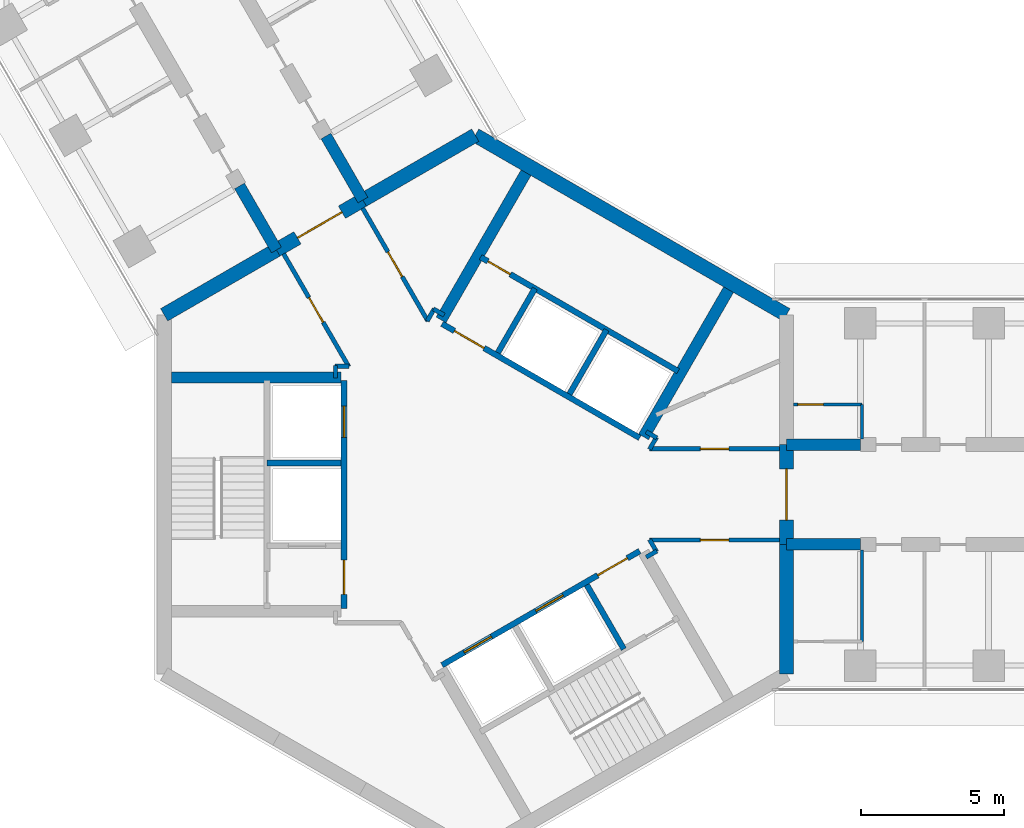
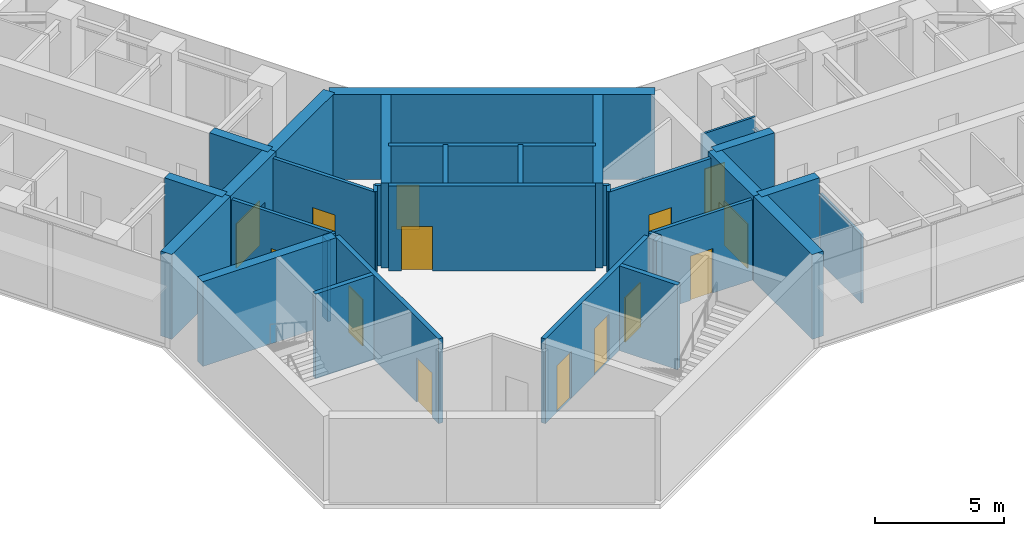
# One storey, part 12 of 18: 36 walls, 14 doors, 14 openings.
"""IFC4 building model written with IfcOpenShell, lengths in metres."""

from ifc_helpers import new_model, si_unit, direction, frame, frame_2d, origin, place, context, subcontext, project, spatial, rectangle, extrude, material, layer, layer_set, type_object, element, fill, save


model = new_model("IFC4")

# Units and contexts
model_context = context("Model", 3, precision=1e-05, world=origin(), true_north=direction((0.0, 1.0)))
body_context = subcontext(model_context, "Body", "Model", "MODEL_VIEW")
ifc_project = project(units=[si_unit("LENGTHUNIT", "METRE"), si_unit("AREAUNIT", "SQUARE_METRE"), si_unit("VOLUMEUNIT", "CUBIC_METRE"), si_unit("PLANEANGLEUNIT", "RADIAN"), si_unit("MASSUNIT", "GRAM", prefix="KILO")], contexts=[model_context])

# Site, building, storey
site_placement = place(None, origin())
site = spatial("IfcSite", under=ifc_project, at=site_placement, CompositionType="ELEMENT")
building_placement = place(site_placement, origin())
building = spatial("IfcBuilding", under=site, at=building_placement, Name="Upepo Twin Towers", CompositionType="ELEMENT")
storey_placement = place(building_placement, frame((0.0, 0.0, 222.5)))
storey = spatial("IfcBuildingStorey", under=building, at=storey_placement, Name="L54", CompositionType="ELEMENT", Elevation=222.5)

# Walls
ifc_material_1 = material(Name="Concrete C60/75", Category="concrete")
ifc_layer_1 = layer(ifc_material_1, 0.39990234375)
ifc_layer_set_1 = layer_set([ifc_layer_1], Name="Concrete C60/75")
wall_type_1 = type_object("IfcWallType", Name="Buttress wall 400 RC", PredefinedType="SHEAR", material=ifc_layer_set_1)
for number, where, z_axis, x_axis, name in (
    (1, (10.908447265625, 1.75, 0.0), (0.0, 0.0, 1.0), (1.0, 0.0, 0.0), "T1 wing A buttress wall L"),
    (2, (10.908447265625, -1.75, 0.0), (0.0, 0.0, 1.0), (1.0, 0.0, 0.0), "T1 wing A buttress wall R"),
):
    element("IfcWall", number, at=place(storey_placement, frame(where, z_axis=z_axis, x_axis=x_axis)), inside=storey, type_object=wall_type_1, Name=name, PredefinedType="SHEAR", context=body_context, shape_type="SweptSolid", body=[
        extrude(rectangle(XDim=2.591552734375, YDim=0.39990234375, at=frame_2d((1.2958984375, 0.0))), origin(), (0.0, 0.0, 1.0), 4.0),
    ])
for number, where, z_axis, x_axis, name in (
    (3, (-6.9697265625, 8.57177734375, 0.0), (0.0, 0.0, 1.0), (-0.499988811324, 0.866031863473, 0.0), "T1 wing B buttress wall L"),
    (4, (-3.938720703125, 10.32177734375, 0.0), (0.0, 0.0, 1.0), (-0.499918158782, 0.866072649678, 0.0), "T1 wing B buttress wall R"),
):
    element("IfcWall", number, at=place(storey_placement, frame(where, z_axis=z_axis, x_axis=x_axis)), inside=storey, type_object=wall_type_1, Name=name, PredefinedType="SHEAR", context=body_context, shape_type="SweptSolid", body=[
        extrude(rectangle(XDim=2.591796875, YDim=0.39990234375, at=frame_2d((1.2958984375, 0.0))), origin(), (0.0, 0.0, 1.0), 4.0),
    ])
ifc_material_2 = material(Name="Concrete C60/75", Category="concrete")
ifc_layer_2 = layer(ifc_material_2, 0.5)
ifc_layer_set_2 = layer_set([ifc_layer_2], Name="Concrete C60/75")
wall_type_2 = type_object("IfcWallType", Name="Core wall 500 RC", PredefinedType="SHEAR", material=ifc_layer_set_2)
wall_1_placement = place(storey_placement, frame((10.908447265625, -6.2978515625, 0.0), z_axis=(0.0, 0.0, 1.0), x_axis=(0.0, 1.0, 0.0)))
element("IfcWall", 5, at=wall_1_placement, inside=storey, type_object=wall_type_2, Name="T1 core wall 000 R", PredefinedType="SHEAR", context=body_context, shape_type="SweptSolid", body=[
    extrude(rectangle(XDim=4.5478515625, YDim=0.5, at=frame_2d((2.27392578125, 0.0))), origin(), (0.0, 0.0, 1.0), 4.0),
])

# Wall, opening, door
wall_2_placement = place(storey_placement, frame((10.908447265625, -1.75, 0.0), z_axis=(0.0, 0.0, 1.0), x_axis=(0.0, 1.0, 0.0)))
wall_2 = element("IfcWall", 6, at=wall_2_placement, inside=storey, type_object=wall_type_2, Name="T1 core wall 000", PredefinedType="SHEAR", context=body_context, shape_type="SweptSolid", body=[
    extrude(rectangle(XDim=3.5, YDim=0.5, at=frame_2d((1.75, 0.0))), origin(), (0.0, 0.0, 1.0), 4.0),
])
opening_1_placement = place(wall_2_placement, frame((0.85009765625, 0.0, 0.0)))
opening_1 = element("IfcOpeningElement", 7, at=opening_1_placement, cuts=wall_2, Name="Opening D2", PredefinedType="OPENING", context=body_context, shape_type="SweptSolid", body=[
    extrude(rectangle(XDim=1.800048828125, YDim=2.10009765625, at=frame_2d((0.89990234375, 1.050048828125))), frame((0.0, 0.260009765625, 0.0), z_axis=(0.0, -1.0, 0.0), x_axis=(1.0, 0.0, 0.0)), (0.0, 0.0, 1.0), 0.52001953125),
])
ifc_material_3 = material(Name="Timber doorset", Category="wood")
door_type_1 = type_object("IfcDoorType", Name="Corridor double door 1800 FD60", OperationType="DOUBLE_DOOR_DOUBLE_SWING", PredefinedType="DOOR", material=ifc_material_3)
door_1_placement = place(opening_1_placement, origin())
door_1 = element("IfcDoor", 8, at=door_1_placement, inside=storey, type_object=door_type_1, Name="T1 L54 wing A corridor door", OperationType="DOUBLE_DOOR_DOUBLE_SWING", OverallHeight=2.10009765625, OverallWidth=1.800048828125, PredefinedType="DOOR", context=body_context, shape_type="SweptSolid", body=[
    extrude(rectangle(XDim=1.800048828125, YDim=2.10009765625, at=frame_2d((0.89990234375, 1.050048828125))), frame((0.0, 0.02490234375, 0.0), z_axis=(0.0, -1.0, 0.0), x_axis=(1.0, 0.0, 0.0)), (0.0, 0.0, 1.0), 0.050048828125),
])
fill(opening_1, door_1)

# Walls
wall_3_placement = place(storey_placement, frame((10.908447265625, 6.2978515625, 0.0), z_axis=(0.0, 0.0, 1.0), x_axis=(-0.866021940709, 0.500005998175, 0.0)))
element("IfcWall", 9, at=wall_3_placement, inside=storey, type_object=wall_type_2, Name="T1 core wall 060", PredefinedType="SHEAR", context=body_context, shape_type="SweptSolid", body=[
    extrude(rectangle(XDim=12.595947265625, YDim=0.5, at=frame_2d((6.2978515625, 0.0))), origin(), (0.0, 0.0, 1.0), 4.0),
])
wall_4_placement = place(storey_placement, frame((0.0, 12.595947265625, 0.0), z_axis=(0.0, 0.0, 1.0), x_axis=(-0.866011268655, -0.500024481964, 0.0)))
element("IfcWall", 10, at=wall_4_placement, inside=storey, type_object=wall_type_2, Name="T1 core wall 120 R", PredefinedType="SHEAR", context=body_context, shape_type="SweptSolid", body=[
    extrude(rectangle(XDim=4.548095703125, YDim=0.5, at=frame_2d((2.27392578125, 0.0))), origin(), (0.0, 0.0, 1.0), 4.0),
])

# Wall, opening, door
wall_5_placement = place(storey_placement, frame((-3.938720703125, 10.32177734375, 0.0), z_axis=(0.0, 0.0, 1.0), x_axis=(-0.866019471182, -0.500010275428, 0.0)))
wall_5 = element("IfcWall", 11, at=wall_5_placement, inside=storey, type_object=wall_type_2, Name="T1 core wall 120", PredefinedType="SHEAR", context=body_context, shape_type="SweptSolid", body=[
    extrude(rectangle(XDim=3.5, YDim=0.5, at=frame_2d((1.75, 0.0))), origin(), (0.0, 0.0, 1.0), 4.0),
])
opening_2_placement = place(wall_5_placement, frame((0.85009765625, 0.0, 0.0)))
opening_2 = element("IfcOpeningElement", 12, at=opening_2_placement, cuts=wall_5, Name="Opening D2", PredefinedType="OPENING", context=body_context, shape_type="SweptSolid", body=[
    extrude(rectangle(XDim=1.800048828125, YDim=2.10009765625, at=frame_2d((0.89990234375, 1.050048828125))), frame((0.0, 0.260009765625, 0.0), z_axis=(0.0, -1.0, 0.0), x_axis=(1.0, 0.0, 0.0)), (0.0, 0.0, 1.0), 0.52001953125),
])
door_2_placement = place(opening_2_placement, origin())
door_2 = element("IfcDoor", 13, at=door_2_placement, inside=storey, type_object=door_type_1, Name="T1 L54 wing B corridor door", OperationType="DOUBLE_DOOR_DOUBLE_SWING", OverallHeight=2.10009765625, OverallWidth=1.800048828125, PredefinedType="DOOR", context=body_context, shape_type="SweptSolid", body=[
    extrude(rectangle(XDim=1.800048828125, YDim=2.10009765625, at=frame_2d((0.89990234375, 1.050048828125))), frame((0.0, 0.02490234375, 0.0), z_axis=(0.0, -1.0, 0.0), x_axis=(1.0, 0.0, 0.0)), (0.0, 0.0, 1.0), 0.050048828125),
])
fill(opening_2, door_2)

# Wall
wall_6_placement = place(storey_placement, frame((-6.9697265625, 8.57177734375, 0.0), z_axis=(0.0, 0.0, 1.0), x_axis=(-0.866034513004, -0.499984222037, 0.0)))
element("IfcWall", 14, at=wall_6_placement, inside=storey, type_object=wall_type_2, Name="T1 core wall 120 L", PredefinedType="SHEAR", context=body_context, shape_type="SweptSolid", body=[
    extrude(rectangle(XDim=4.548095703125, YDim=0.5, at=frame_2d((2.27392578125, 0.0))), origin(), (0.0, 0.0, 1.0), 4.0),
])

# Wall, opening, door
ifc_material_4 = material(Name="Gypsum board on steel studs", Category="steel")
ifc_layer_3 = layer(ifc_material_4, 0.10009765625)
ifc_layer_set_3 = layer_set([ifc_layer_3], Name="Office partition 100 stud")
wall_type_3 = type_object("IfcWallType", Name="Office partition 100 stud", PredefinedType="PARTITIONING", material=ifc_layer_set_3)
wall_7_placement = place(storey_placement, frame((11.157958984375, 3.14990234375, 0.0), z_axis=(0.0, 0.0, 1.0), x_axis=(1.0, 0.0, 0.0)))
wall_7 = element("IfcWall", 15, at=wall_7_placement, inside=storey, type_object=wall_type_3, Name="T1 WC bay partition AL at 11.16", PredefinedType="PARTITIONING", context=body_context, shape_type="SweptSolid", body=[
    extrude(rectangle(XDim=2.400146484375, YDim=0.10009765625, at=frame_2d((1.2001953125, 0.0))), origin(), (0.0, 0.0, 1.0), 3.800048828125),
])
opening_3_placement = place(wall_7_placement, frame((0.14990234375, 0.0, 0.0)))
opening_3 = element("IfcOpeningElement", 16, at=opening_3_placement, cuts=wall_7, Name="Opening D14", PredefinedType="OPENING", context=body_context, shape_type="SweptSolid", body=[
    extrude(rectangle(XDim=0.89990234375, YDim=2.10009765625, at=frame_2d((0.449951171875, 1.050048828125))), frame((0.0, 0.06005859375, 0.0), z_axis=(0.0, -1.0, 0.0), x_axis=(1.0, 0.0, 0.0)), (0.0, 0.0, 1.0), 0.1201171875),
])
ifc_material_5 = material(Name="Timber doorset", Category="wood")
door_type_2 = type_object("IfcDoorType", Name="Office door 900 FD30", OperationType="SINGLE_SWING_LEFT", PredefinedType="DOOR", material=ifc_material_5)
door_3_placement = place(opening_3_placement, origin())
door_3 = element("IfcDoor", 17, at=door_3_placement, inside=storey, type_object=door_type_2, Name="T1 L54 WC bay inner room door", OperationType="SINGLE_SWING_LEFT", OverallHeight=2.10009765625, OverallWidth=0.89990234375, PredefinedType="DOOR", context=body_context, shape_type="SweptSolid", body=[
    extrude(rectangle(XDim=0.89990234375, YDim=2.10009765625, at=frame_2d((0.449951171875, 1.050048828125))), frame((0.0, 0.02490234375, 0.0), z_axis=(0.0, -1.0, 0.0), x_axis=(1.0, 0.0, 0.0)), (0.0, 0.0, 1.0), 0.050048828125),
])
fill(opening_3, door_3)

# Walls
wall_8_placement = place(storey_placement, frame((13.55810546875, 1.949951171875, 0.0), z_axis=(0.0, 0.0, 1.0), x_axis=(0.0, 1.0, 0.0)))
element("IfcWall", 18, at=wall_8_placement, inside=storey, type_object=wall_type_3, Name="T1 WC bay partition AL end at 13.56", PredefinedType="PARTITIONING", context=body_context, shape_type="SweptSolid", body=[
    extrude(rectangle(XDim=1.199951171875, YDim=0.10009765625, at=frame_2d((0.60009765625, 0.0))), origin(), (0.0, 0.0, 1.0), 3.266845703125),
])
wall_9_placement = place(storey_placement, frame((13.55810546875, -1.949951171875, 0.0), z_axis=(0.0, 0.0, 1.0), x_axis=(0.0, -1.0, 0.0)))
element("IfcWall", 19, at=wall_9_placement, inside=storey, type_object=wall_type_3, Name="T1 WC bay partition AR end at 13.56", PredefinedType="PARTITIONING", context=body_context, shape_type="SweptSolid", body=[
    extrude(rectangle(XDim=3.199951171875, YDim=0.10009765625, at=frame_2d((1.60009765625, 0.0))), origin(), (0.0, 0.0, 1.0), 3.266845703125),
])

# Wall, opening, door
ifc_material_6 = material(Name="Concrete C40/50", Category="concrete")
ifc_layer_4 = layer(ifc_material_6, 0.199951171875)
ifc_layer_set_4 = layer_set([ifc_layer_4], Name="Concrete C40/50")
wall_type_4 = type_object("IfcWallType", Name="Shaft wall 200 RC", PredefinedType="SHEAR", material=ifc_layer_set_4)
wall_10_placement = place(storey_placement, frame((5.76416015625, 1.983642578125, 0.0), z_axis=(0.0, 0.0, 1.0), x_axis=(-0.866026010844, 0.49999894854, 0.0)))
wall_10 = element("IfcWall", 20, at=wall_10_placement, inside=storey, type_object=wall_type_4, Name="T1 core W60 front wall", PredefinedType="SHEAR", context=body_context, shape_type="SweptSolid", body=[
    extrude(rectangle(XDim=8.0, YDim=0.199951171875, at=frame_2d((4.0, 0.0))), origin(), (0.0, 0.0, 1.0), 4.0),
])
opening_4_placement = place(wall_10_placement, frame((6.300048828125, 0.0, 0.0)))
opening_4 = element("IfcOpeningElement", 21, at=opening_4_placement, cuts=wall_10, Name="Opening D4", PredefinedType="OPENING", context=body_context, shape_type="SweptSolid", body=[
    extrude(rectangle(XDim=1.199951171875, YDim=2.10009765625, at=frame_2d((0.60009765625, 1.050048828125))), frame((0.0, 0.10986328125, 0.0), z_axis=(0.0, -1.0, 0.0), x_axis=(1.0, 0.0, 0.0)), (0.0, 0.0, 1.0), 0.219970703125),
])
ifc_material_7 = material(Name="Timber doorset", Category="wood")
door_type_3 = type_object("IfcDoorType", Name="Lobby door 1200 FD60", OperationType="SINGLE_SWING_LEFT", PredefinedType="DOOR", material=ifc_material_7)
door_4_placement = place(opening_4_placement, origin())
door_4 = element("IfcDoor", 22, at=door_4_placement, inside=storey, type_object=door_type_3, Name="T1 L54 W60 lobby door", OperationType="SINGLE_SWING_RIGHT", OverallHeight=2.10009765625, OverallWidth=1.199951171875, PredefinedType="DOOR", context=body_context, shape_type="SweptSolid", body=[
    extrude(rectangle(XDim=1.199951171875, YDim=2.10009765625, at=frame_2d((0.60009765625, 1.050048828125))), frame((0.0, 0.02490234375, 0.0), z_axis=(0.0, -1.0, 0.0), x_axis=(1.0, 0.0, 0.0)), (0.0, 0.0, 1.0), 0.050048828125),
])
fill(opening_4, door_4)

# Walls
for number, where, z_axis, x_axis, name in (
    (23, (3.302734375, 3.520263671875, 0.0), (0.0, 0.0, 1.0), (0.499936506574, 0.866062058628, 0.0), "T1 core W60 shaft divider"),
    (24, (0.791259765625, 4.97021484375, 0.0), (0.0, 0.0, 1.0), (0.499936506574, 0.866062058628, 0.0), "T1 core W60 lobby wall"),
):
    element("IfcWall", number, at=place(storey_placement, frame(where, z_axis=z_axis, x_axis=x_axis)), inside=storey, type_object=wall_type_4, Name=name, PredefinedType="SHEAR", context=body_context, shape_type="SweptSolid", body=[
        extrude(rectangle(XDim=2.599853515625, YDim=0.199951171875, at=frame_2d((1.2998046875, 0.0))), origin(), (0.0, 0.0, 1.0), 4.0),
    ])

# Wall, opening, door
wall_11_placement = place(storey_placement, frame((7.114013671875, 4.322021484375, 0.0), z_axis=(0.0, 0.0, 1.0), x_axis=(-0.866026010844, 0.49999894854, 0.0)))
wall_11 = element("IfcWall", 25, at=wall_11_placement, inside=storey, type_object=wall_type_4, Name="T1 core W60 stair wall", PredefinedType="SHEAR", context=body_context, shape_type="SweptSolid", body=[
    extrude(rectangle(XDim=8.0, YDim=0.199951171875, at=frame_2d((4.0, 0.0))), origin(), (0.0, 0.0, 1.0), 4.0),
])
opening_5_placement = place(wall_11_placement, frame((6.800048828125, 0.0, 0.0)))
opening_5 = element("IfcOpeningElement", 26, at=opening_5_placement, cuts=wall_11, Name="Opening D9", PredefinedType="OPENING", context=body_context, shape_type="SweptSolid", body=[
    extrude(rectangle(XDim=0.89990234375, YDim=2.10009765625, at=frame_2d((0.449951171875, 1.050048828125))), frame((0.0, 0.10986328125, 0.0), z_axis=(0.0, -1.0, 0.0), x_axis=(1.0, 0.0, 0.0)), (0.0, 0.0, 1.0), 0.219970703125),
])
ifc_material_8 = material(Name="Timber doorset", Category="wood")
door_type_4 = type_object("IfcDoorType", Name="Riser door 900 FD60", OperationType="SINGLE_SWING_LEFT", PredefinedType="DOOR", material=ifc_material_8)
door_5_placement = place(opening_5_placement, origin())
door_5 = element("IfcDoor", 27, at=door_5_placement, inside=storey, type_object=door_type_4, Name="T1 L54 riser door", OperationType="SINGLE_SWING_RIGHT", OverallHeight=2.10009765625, OverallWidth=0.89990234375, PredefinedType="DOOR", context=body_context, shape_type="SweptSolid", body=[
    extrude(rectangle(XDim=0.89990234375, YDim=2.10009765625, at=frame_2d((0.449951171875, 1.050048828125))), frame((0.0, 0.02490234375, 0.0), z_axis=(0.0, -1.0, 0.0), x_axis=(1.0, 0.0, 0.0)), (0.0, 0.0, 1.0), 0.050048828125),
])
fill(opening_5, door_5)

# Wall, openings, doors
wall_12_placement = place(storey_placement, frame((-4.60009765625, 4.0, 0.0), z_axis=(0.0, 0.0, 1.0), x_axis=(0.0, -1.0, 0.0)))
wall_12 = element("IfcWall", 28, at=wall_12_placement, inside=storey, type_object=wall_type_4, Name="T1 core W180 front wall", PredefinedType="SHEAR", context=body_context, shape_type="SweptSolid", body=[
    extrude(rectangle(XDim=8.0, YDim=0.199951171875, at=frame_2d((4.0, 0.0))), origin(), (0.0, 0.0, 1.0), 4.0),
])
opening_6_placement = place(wall_12_placement, frame((6.300048828125, 0.0, 0.0)))
opening_6 = element("IfcOpeningElement", 29, at=opening_6_placement, cuts=wall_12, Name="Opening D4", PredefinedType="OPENING", context=body_context, shape_type="SweptSolid", body=[
    extrude(rectangle(XDim=1.199951171875, YDim=2.10009765625, at=frame_2d((0.60009765625, 1.050048828125))), frame((0.0, 0.10986328125, 0.0), z_axis=(0.0, -1.0, 0.0), x_axis=(1.0, 0.0, 0.0)), (0.0, 0.0, 1.0), 0.219970703125),
])
opening_7_placement = place(wall_12_placement, frame((0.89990234375, 0.0, 0.0)))
opening_7 = element("IfcOpeningElement", 30, at=opening_7_placement, cuts=wall_12, Name="Opening LD1", PredefinedType="OPENING", context=body_context, shape_type="SweptSolid", body=[
    extrude(rectangle(XDim=1.10009765625, YDim=2.199951171875, at=frame_2d((0.550048828125, 1.10009765625))), frame((0.0, 0.10986328125, 0.0), z_axis=(0.0, -1.0, 0.0), x_axis=(1.0, 0.0, 0.0)), (0.0, 0.0, 1.0), 0.219970703125),
])
ifc_material_9 = material(Name="Steel doorset", Category="steel")
door_type_5 = type_object("IfcDoorType", Name="Lift landing door 1100", OperationType="DOUBLE_DOOR_SLIDING", PredefinedType="DOOR", material=ifc_material_9)
door_6_placement = place(opening_7_placement, origin())
door_6 = element("IfcDoor", 31, at=door_6_placement, inside=storey, type_object=door_type_5, Name="T1 L54 lift SV1 landing door", OperationType="DOUBLE_DOOR_SLIDING", OverallHeight=2.199951171875, OverallWidth=1.10009765625, PredefinedType="DOOR", context=body_context, shape_type="SweptSolid", body=[
    extrude(rectangle(XDim=1.10009765625, YDim=2.199951171875, at=frame_2d((0.550048828125, 1.10009765625))), frame((0.0, 0.02490234375, 0.0), z_axis=(0.0, -1.0, 0.0), x_axis=(1.0, 0.0, 0.0)), (0.0, 0.0, 1.0), 0.050048828125),
])
fill(opening_7, door_6)
door_7_placement = place(opening_6_placement, origin())
door_7 = element("IfcDoor", 32, at=door_7_placement, inside=storey, type_object=door_type_3, Name="T1 L54 W180 lobby door", OperationType="SINGLE_SWING_RIGHT", OverallHeight=2.10009765625, OverallWidth=1.199951171875, PredefinedType="DOOR", context=body_context, shape_type="SweptSolid", body=[
    extrude(rectangle(XDim=1.199951171875, YDim=2.10009765625, at=frame_2d((0.60009765625, 1.050048828125))), frame((0.0, 0.02490234375, 0.0), z_axis=(0.0, -1.0, 0.0), x_axis=(1.0, 0.0, 0.0)), (0.0, 0.0, 1.0), 0.050048828125),
])
fill(opening_6, door_7)

# Wall
wall_13_placement = place(storey_placement, frame((-4.699951171875, 1.10009765625, 0.0), z_axis=(0.0, 0.0, 1.0), x_axis=(-1.0, 0.0, 0.0)))
element("IfcWall", 33, at=wall_13_placement, inside=storey, type_object=wall_type_4, Name="T1 core W180 shaft divider", PredefinedType="SHEAR", context=body_context, shape_type="SweptSolid", body=[
    extrude(rectangle(XDim=2.60009765625, YDim=0.199951171875, at=frame_2d((1.300048828125, 0.0))), origin(), (0.0, 0.0, 1.0), 4.0),
])

# Wall, openings, doors
wall_14_placement = place(storey_placement, frame((-1.1640625, -5.983642578125, 0.0), z_axis=(0.0, 0.0, 1.0), x_axis=(0.866026010844, 0.49999894854, 0.0)))
wall_14 = element("IfcWall", 34, at=wall_14_placement, inside=storey, type_object=wall_type_4, Name="T1 core W300 front wall", PredefinedType="SHEAR", context=body_context, shape_type="SweptSolid", body=[
    extrude(rectangle(XDim=8.0, YDim=0.199951171875, at=frame_2d((4.0, 0.0))), origin(), (0.0, 0.0, 1.0), 4.0),
])
opening_8_placement = place(wall_14_placement, frame((6.300048828125, 0.0, 0.0)))
opening_8 = element("IfcOpeningElement", 35, at=opening_8_placement, cuts=wall_14, Name="Opening D4", PredefinedType="OPENING", context=body_context, shape_type="SweptSolid", body=[
    extrude(rectangle(XDim=1.199951171875, YDim=2.10009765625, at=frame_2d((0.60009765625, 1.050048828125))), frame((0.0, 0.10986328125, 0.0), z_axis=(0.0, -1.0, 0.0), x_axis=(1.0, 0.0, 0.0)), (0.0, 0.0, 1.0), 0.219970703125),
])
opening_9_placement = place(wall_14_placement, frame((0.89990234375, 0.0, 0.0)))
opening_9 = element("IfcOpeningElement", 36, at=opening_9_placement, cuts=wall_14, Name="Opening LD1", PredefinedType="OPENING", context=body_context, shape_type="SweptSolid", body=[
    extrude(rectangle(XDim=1.10009765625, YDim=2.199951171875, at=frame_2d((0.550048828125, 1.10009765625))), frame((0.0, 0.10986328125, 0.0), z_axis=(0.0, -1.0, 0.0), x_axis=(1.0, 0.0, 0.0)), (0.0, 0.0, 1.0), 0.219970703125),
])
opening_10_placement = place(wall_14_placement, frame((3.800048828125, 0.0, 0.0)))
opening_10 = element("IfcOpeningElement", 37, at=opening_10_placement, cuts=wall_14, Name="Opening LD1", PredefinedType="OPENING", context=body_context, shape_type="SweptSolid", body=[
    extrude(rectangle(XDim=1.10009765625, YDim=2.199951171875, at=frame_2d((0.550048828125, 1.10009765625))), frame((0.0, 0.10986328125, 0.0), z_axis=(0.0, -1.0, 0.0), x_axis=(1.0, 0.0, 0.0)), (0.0, 0.0, 1.0), 0.219970703125),
])
door_8_placement = place(opening_9_placement, origin())
door_8 = element("IfcDoor", 38, at=door_8_placement, inside=storey, type_object=door_type_5, Name="T1 L54 lift UL1 landing door", OperationType="DOUBLE_DOOR_SLIDING", OverallHeight=2.199951171875, OverallWidth=1.10009765625, PredefinedType="DOOR", context=body_context, shape_type="SweptSolid", body=[
    extrude(rectangle(XDim=1.10009765625, YDim=2.199951171875, at=frame_2d((0.550048828125, 1.10009765625))), frame((0.0, 0.02490234375, 0.0), z_axis=(0.0, -1.0, 0.0), x_axis=(1.0, 0.0, 0.0)), (0.0, 0.0, 1.0), 0.050048828125),
])
fill(opening_9, door_8)
door_9_placement = place(opening_10_placement, origin())
door_9 = element("IfcDoor", 39, at=door_9_placement, inside=storey, type_object=door_type_5, Name="T1 L54 lift UL2 landing door", OperationType="DOUBLE_DOOR_SLIDING", OverallHeight=2.199951171875, OverallWidth=1.10009765625, PredefinedType="DOOR", context=body_context, shape_type="SweptSolid", body=[
    extrude(rectangle(XDim=1.10009765625, YDim=2.199951171875, at=frame_2d((0.550048828125, 1.10009765625))), frame((0.0, 0.02490234375, 0.0), z_axis=(0.0, -1.0, 0.0), x_axis=(1.0, 0.0, 0.0)), (0.0, 0.0, 1.0), 0.050048828125),
])
fill(opening_10, door_9)
door_10_placement = place(opening_8_placement, origin())
door_10 = element("IfcDoor", 40, at=door_10_placement, inside=storey, type_object=door_type_3, Name="T1 L54 W300 lobby door", OperationType="SINGLE_SWING_RIGHT", OverallHeight=2.10009765625, OverallWidth=1.199951171875, PredefinedType="DOOR", context=body_context, shape_type="SweptSolid", body=[
    extrude(rectangle(XDim=1.199951171875, YDim=2.10009765625, at=frame_2d((0.60009765625, 1.050048828125))), frame((0.0, 0.02490234375, 0.0), z_axis=(0.0, -1.0, 0.0), x_axis=(1.0, 0.0, 0.0)), (0.0, 0.0, 1.0), 0.050048828125),
])
fill(opening_8, door_10)

# Walls
wall_15_placement = place(storey_placement, frame((3.908935546875, -3.17041015625, 0.0), z_axis=(0.0, 0.0, 1.0), x_axis=(0.49997716683, -0.86603858612, 0.0)))
element("IfcWall", 41, at=wall_15_placement, inside=storey, type_object=wall_type_4, Name="T1 core W300 lobby wall", PredefinedType="SHEAR", context=body_context, shape_type="SweptSolid", body=[
    extrude(rectangle(XDim=2.599609375, YDim=0.199951171875, at=frame_2d((1.2998046875, 0.0))), origin(), (0.0, 0.0, 1.0), 4.0),
])
ifc_material_10 = material(Name="Concrete C40/50", Category="concrete")
ifc_layer_5 = layer(ifc_material_10, 0.39990234375)
ifc_layer_set_5 = layer_set([ifc_layer_5], Name="Concrete C40/50")
wall_type_5 = type_object("IfcWallType", Name="Shaft wall 400 RC", PredefinedType="SHEAR", material=ifc_layer_set_5)
wall_16_placement = place(storey_placement, frame((-1.20068359375, 6.120361328125, 0.0), z_axis=(0.0, 0.0, 1.0), x_axis=(0.500021575205, 0.866012946976, 0.0)))
element("IfcWall", 42, at=wall_16_placement, inside=storey, type_object=wall_type_5, Name="T1 core W60 side wall N", PredefinedType="SHEAR", context=body_context, shape_type="SweptSolid", body=[
    extrude(rectangle(XDim=5.958251953125, YDim=0.39990234375, at=frame_2d((2.97900390625, 0.0))), origin(), (0.0, 0.0, 1.0), 4.0),
])
for number, where, z_axis, x_axis, name in (
    (43, (5.900634765625, 2.020263671875, 0.0), (0.0, 0.0, 1.0), (0.500003832394, 0.86602319114, 0.0), "T1 core W60 side wall S"),
    (44, (-4.699951171875, 4.10009765625, 0.0), (0.0, 0.0, 1.0), (-1.0, 0.0, 0.0), "T1 core W180 side wall S"),
):
    element("IfcWall", number, at=place(storey_placement, frame(where, z_axis=z_axis, x_axis=x_axis)), inside=storey, type_object=wall_type_5, Name=name, PredefinedType="SHEAR", context=body_context, shape_type="SweptSolid", body=[
        extrude(rectangle(XDim=5.95849609375, YDim=0.39990234375, at=frame_2d((2.979248046875, 0.0))), origin(), (0.0, 0.0, 1.0), 4.0),
    ])
ifc_material_11 = material(Name="Gypsum board on steel studs", Category="steel")
ifc_layer_6 = layer(ifc_material_11, 0.14990234375)
ifc_layer_set_6 = layer_set([ifc_layer_6], Name="Teaching partition 150 acoustic")
wall_type_6 = type_object("IfcWallType", Name="Teaching partition 150 acoustic", PredefinedType="PARTITIONING", material=ifc_layer_set_6)
for number, where, z_axis, x_axis, name in (
    (45, (6.364501953125, -1.9833984375, 0.0), (0.0, 0.0, 1.0), (-0.865892400268, -0.500230298122, 0.0), "T1 core room partition 1"),
    (46, (-4.89990234375, 4.090087890625, 0.0), (0.0, 0.0, 1.0), (0.0, 1.0, 0.0), "T1 core room partition 6"),
):
    element("IfcWall", number, at=place(storey_placement, frame(where, z_axis=z_axis, x_axis=x_axis)), inside=storey, type_object=wall_type_6, Name=name, PredefinedType="PARTITIONING", context=body_context, shape_type="SweptSolid", body=[
        extrude(rectangle(XDim=0.429931640625, YDim=0.14990234375, at=frame_2d((0.21484375, 0.0))), origin(), (0.0, 0.0, 1.0), 3.800048828125),
    ])
wall_17_placement = place(storey_placement, frame((-4.919921875, 4.5, 0.0), z_axis=(0.0, 0.0, 1.0), x_axis=(1.0, 0.0, 0.0)))
element("IfcWall", 47, at=wall_17_placement, inside=storey, type_object=wall_type_6, Name="T1 core room partition 7", PredefinedType="PARTITIONING", context=body_context, shape_type="SweptSolid", body=[
    extrude(rectangle(XDim=0.494384765625, YDim=0.14990234375, at=frame_2d((0.2470703125, 0.0))), origin(), (0.0, 0.0, 1.0), 3.800048828125),
])

# Wall, opening, door
wall_18_placement = place(storey_placement, frame((-4.435546875, 4.482666015625, 0.0), z_axis=(0.0, 0.0, 1.0), x_axis=(-0.500001558674, 0.866024503882, 0.0)))
wall_18 = element("IfcWall", 48, at=wall_18_placement, inside=storey, type_object=wall_type_6, Name="T1 core room partition 8", PredefinedType="PARTITIONING", context=body_context, shape_type="SweptSolid", body=[
    extrude(rectangle(XDim=4.568359375, YDim=0.14990234375, at=frame_2d((2.2841796875, 0.0))), origin(), (0.0, 0.0, 1.0), 3.800048828125),
])
opening_11_placement = place(wall_18_placement, frame((1.794189453125, 0.0, 0.0)))
opening_11 = element("IfcOpeningElement", 49, at=opening_11_placement, cuts=wall_18, Name="Opening D1", PredefinedType="OPENING", context=body_context, shape_type="SweptSolid", body=[
    extrude(rectangle(XDim=1.0, YDim=2.10009765625, at=frame_2d((0.5, 1.050048828125))), frame((0.0, 0.0849609375, 0.0), z_axis=(0.0, -1.0, 0.0), x_axis=(1.0, 0.0, 0.0)), (0.0, 0.0, 1.0), 0.169921875),
])
ifc_material_12 = material(Name="Timber doorset", Category="wood")
door_type_6 = type_object("IfcDoorType", Name="Room door 1000 FD30", OperationType="SINGLE_SWING_LEFT", PredefinedType="DOOR", material=ifc_material_12)
door_11_placement = place(opening_11_placement, origin())
door_11 = element("IfcDoor", 50, at=door_11_placement, inside=storey, type_object=door_type_6, Name="T1 L54 core room door K6", OperationType="SINGLE_SWING_RIGHT", OverallHeight=2.10009765625, OverallWidth=1.0, PredefinedType="DOOR", context=body_context, shape_type="SweptSolid", body=[
    extrude(rectangle(XDim=1.0, YDim=2.10009765625, at=frame_2d((0.5, 1.050048828125))), frame((0.0, 0.02490234375, 0.0), z_axis=(0.0, -1.0, 0.0), x_axis=(1.0, 0.0, 0.0)), (0.0, 0.0, 1.0), 0.050048828125),
])
fill(opening_11, door_11)

wall_19_placement = place(storey_placement, frame((-3.948486328125, 10.0390625, 0.0), z_axis=(0.0, 0.0, 1.0), x_axis=(0.500001558674, -0.866024503882, 0.0)))
wall_19 = element("IfcWall", 51, at=wall_19_placement, inside=storey, type_object=wall_type_6, Name="T1 core room partition 9", PredefinedType="PARTITIONING", context=body_context, shape_type="SweptSolid", body=[
    extrude(rectangle(XDim=4.568359375, YDim=0.14990234375, at=frame_2d((2.2841796875, 0.0))), origin(), (0.0, 0.0, 1.0), 3.800048828125),
])
opening_12_placement = place(wall_19_placement, frame((1.774169921875, 0.0, 0.0)))
opening_12 = element("IfcOpeningElement", 52, at=opening_12_placement, cuts=wall_19, Name="Opening D1", PredefinedType="OPENING", context=body_context, shape_type="SweptSolid", body=[
    extrude(rectangle(XDim=1.0, YDim=2.10009765625, at=frame_2d((0.5, 1.050048828125))), frame((0.0, 0.0849609375, 0.0), z_axis=(0.0, -1.0, 0.0), x_axis=(1.0, 0.0, 0.0)), (0.0, 0.0, 1.0), 0.169921875),
])
door_12_placement = place(opening_12_placement, origin())
door_12 = element("IfcDoor", 53, at=door_12_placement, inside=storey, type_object=door_type_6, Name="T1 L54 core room door K5", OperationType="SINGLE_SWING_LEFT", OverallHeight=2.10009765625, OverallWidth=1.0, PredefinedType="DOOR", context=body_context, shape_type="SweptSolid", body=[
    extrude(rectangle(XDim=1.0, YDim=2.10009765625, at=frame_2d((0.5, 1.050048828125))), frame((0.0, 0.02490234375, 0.0), z_axis=(0.0, -1.0, 0.0), x_axis=(1.0, 0.0, 0.0)), (0.0, 0.0, 1.0), 0.050048828125),
])
fill(opening_12, door_12)

# Walls
wall_20_placement = place(storey_placement, frame((-1.684326171875, 6.082763671875, 0.0), z_axis=(0.0, 0.0, 1.0), x_axis=(0.50033519877, 0.865831790172, 0.0)))
element("IfcWall", 54, at=wall_20_placement, inside=storey, type_object=wall_type_6, Name="T1 core room partition 10", PredefinedType="PARTITIONING", context=body_context, shape_type="SweptSolid", body=[
    extrude(rectangle(XDim=0.494384765625, YDim=0.14990234375, at=frame_2d((0.2470703125, 0.0))), origin(), (0.0, 0.0, 1.0), 3.800048828125),
])
for number, where, z_axis, x_axis, name in (
    (55, (-1.46435546875, 6.50341796875, 0.0), (0.0, 0.0, 1.0), (0.866138304741, -0.499804398801, 0.0), "T1 core room partition 11"),
    (56, (5.9921875, 2.198486328125, 0.0), (0.0, 0.0, 1.0), (0.865892400268, -0.500230298122, 0.0), "T1 core room partition 12"),
):
    element("IfcWall", number, at=place(storey_placement, frame(where, z_axis=z_axis, x_axis=x_axis)), inside=storey, type_object=wall_type_6, Name=name, PredefinedType="PARTITIONING", context=body_context, shape_type="SweptSolid", body=[
        extrude(rectangle(XDim=0.429931640625, YDim=0.14990234375, at=frame_2d((0.21484375, 0.0))), origin(), (0.0, 0.0, 1.0), 3.800048828125),
    ])
wall_21_placement = place(storey_placement, frame((6.357177734375, 2.0107421875, 0.0), z_axis=(0.0, 0.0, 1.0), x_axis=(-0.50033519877, -0.865831790172, 0.0)))
element("IfcWall", 57, at=wall_21_placement, inside=storey, type_object=wall_type_6, Name="T1 core room partition 13", PredefinedType="PARTITIONING", context=body_context, shape_type="SweptSolid", body=[
    extrude(rectangle(XDim=0.494384765625, YDim=0.14990234375, at=frame_2d((0.2470703125, 0.0))), origin(), (0.0, 0.0, 1.0), 3.800048828125),
])

# Wall, opening, door
wall_22_placement = place(storey_placement, frame((6.099853515625, 1.60009765625, 0.0), z_axis=(0.0, 0.0, 1.0), x_axis=(1.0, 0.0, 0.0)))
wall_22 = element("IfcWall", 58, at=wall_22_placement, inside=storey, type_object=wall_type_6, Name="T1 core room partition 14", PredefinedType="PARTITIONING", context=body_context, shape_type="SweptSolid", body=[
    extrude(rectangle(XDim=4.568359375, YDim=0.14990234375, at=frame_2d((2.2841796875, 0.0))), origin(), (0.0, 0.0, 1.0), 3.800048828125),
])
opening_13_placement = place(wall_22_placement, frame((1.79443359375, 0.0, 0.0)))
opening_13 = element("IfcOpeningElement", 59, at=opening_13_placement, cuts=wall_22, Name="Opening D1", PredefinedType="OPENING", context=body_context, shape_type="SweptSolid", body=[
    extrude(rectangle(XDim=1.0, YDim=2.10009765625, at=frame_2d((0.5, 1.050048828125))), frame((0.0, 0.0849609375, 0.0), z_axis=(0.0, -1.0, 0.0), x_axis=(1.0, 0.0, 0.0)), (0.0, 0.0, 1.0), 0.169921875),
])
door_13_placement = place(opening_13_placement, origin())
door_13 = element("IfcDoor", 60, at=door_13_placement, inside=storey, type_object=door_type_6, Name="T1 L54 core room door K3", OperationType="SINGLE_SWING_RIGHT", OverallHeight=2.10009765625, OverallWidth=1.0, PredefinedType="DOOR", context=body_context, shape_type="SweptSolid", body=[
    extrude(rectangle(XDim=1.0, YDim=2.10009765625, at=frame_2d((0.5, 1.050048828125))), frame((0.0, 0.02490234375, 0.0), z_axis=(0.0, -1.0, 0.0), x_axis=(1.0, 0.0, 0.0)), (0.0, 0.0, 1.0), 0.050048828125),
])
fill(opening_13, door_13)

wall_23_placement = place(storey_placement, frame((10.668212890625, -1.60009765625, 0.0), z_axis=(0.0, 0.0, 1.0), x_axis=(-1.0, 0.0, 0.0)))
wall_23 = element("IfcWall", 61, at=wall_23_placement, inside=storey, type_object=wall_type_6, Name="T1 core room partition 15", PredefinedType="PARTITIONING", context=body_context, shape_type="SweptSolid", body=[
    extrude(rectangle(XDim=4.568359375, YDim=0.14990234375, at=frame_2d((2.2841796875, 0.0))), origin(), (0.0, 0.0, 1.0), 3.800048828125),
])
opening_14_placement = place(wall_23_placement, frame((1.774169921875, 0.0, 0.0)))
opening_14 = element("IfcOpeningElement", 62, at=opening_14_placement, cuts=wall_23, Name="Opening D1", PredefinedType="OPENING", context=body_context, shape_type="SweptSolid", body=[
    extrude(rectangle(XDim=1.0, YDim=2.10009765625, at=frame_2d((0.5, 1.050048828125))), frame((0.0, 0.0849609375, 0.0), z_axis=(0.0, -1.0, 0.0), x_axis=(1.0, 0.0, 0.0)), (0.0, 0.0, 1.0), 0.169921875),
])
door_14_placement = place(opening_14_placement, origin())
door_14 = element("IfcDoor", 63, at=door_14_placement, inside=storey, type_object=door_type_6, Name="T1 L54 core room door K2", OperationType="SINGLE_SWING_LEFT", OverallHeight=2.10009765625, OverallWidth=1.0, PredefinedType="DOOR", context=body_context, shape_type="SweptSolid", body=[
    extrude(rectangle(XDim=1.0, YDim=2.10009765625, at=frame_2d((0.5, 1.050048828125))), frame((0.0, 0.02490234375, 0.0), z_axis=(0.0, -1.0, 0.0), x_axis=(1.0, 0.0, 0.0)), (0.0, 0.0, 1.0), 0.050048828125),
])
fill(opening_14, door_14)

# Wall
wall_24_placement = place(storey_placement, frame((6.10986328125, -1.582763671875, 0.0), z_axis=(0.0, 0.0, 1.0), x_axis=(0.50033519877, -0.865831790172, 0.0)))
element("IfcWall", 64, at=wall_24_placement, inside=storey, type_object=wall_type_6, Name="T1 core room partition 16", PredefinedType="PARTITIONING", context=body_context, shape_type="SweptSolid", body=[
    extrude(rectangle(XDim=0.494384765625, YDim=0.14990234375, at=frame_2d((0.2470703125, 0.0))), origin(), (0.0, 0.0, 1.0), 3.800048828125),
])

save(model, "model.ifc")
